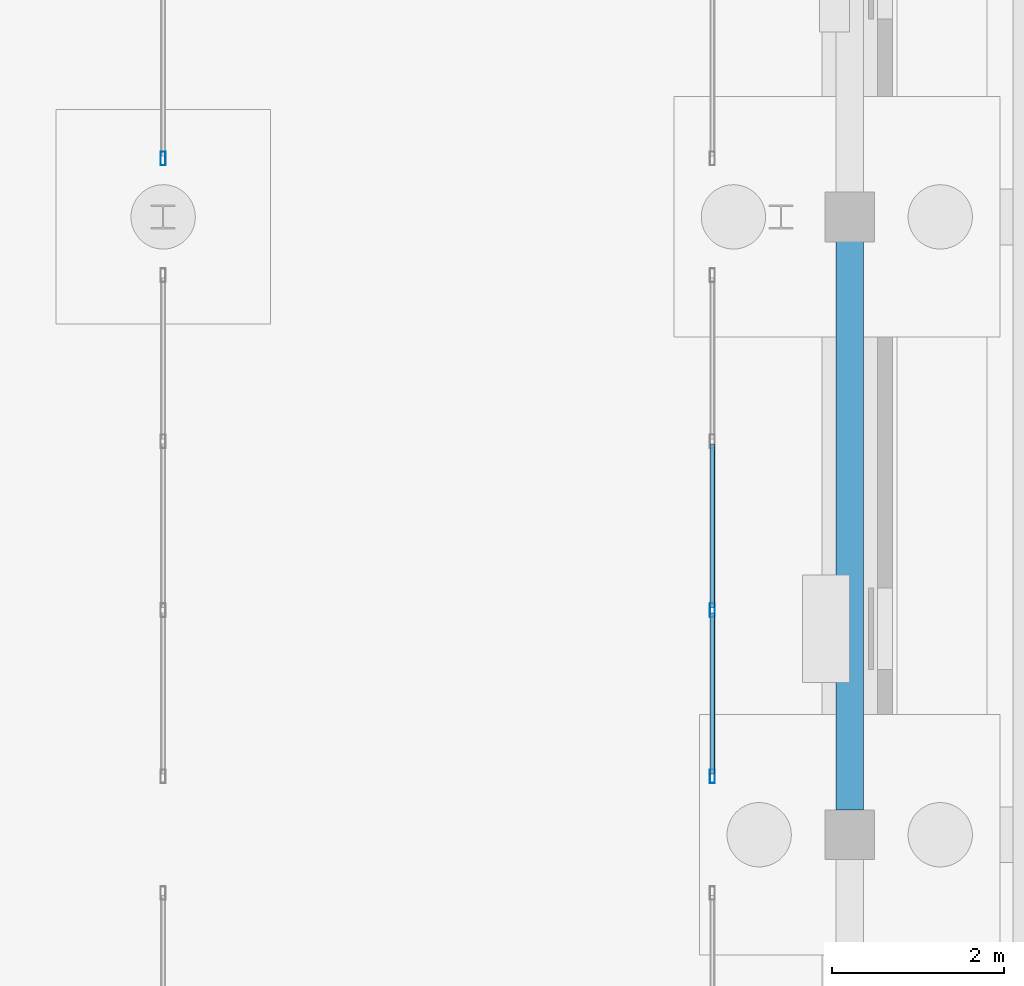
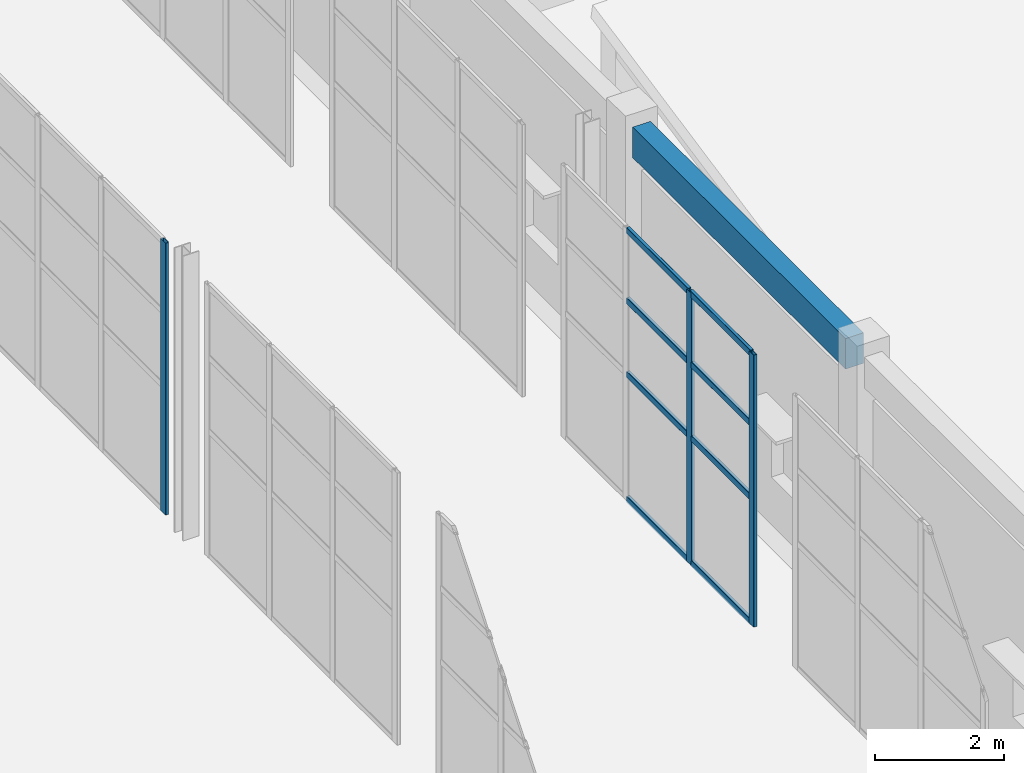
# One storey, part 23 of 91: 11 members, 1 beam, 2 elements without a shape of their own.
"""IFC4 building model written with IfcOpenShell, lengths in metres."""

from ifc_helpers import new_model, si_unit, direction, frame, origin, origin_2d, place, context, subcontext, project, spatial, rectangle, hollow_rectangle, extrude, material, material_profile, profile_set, type_object, element, aggregate, save


model = new_model("IFC4")

# Units and contexts
model_context = context("Model", 3, precision=1e-05, world=origin(), true_north=direction((0.0, 1.0)))
body_context = subcontext(model_context, "Body", "Model", "MODEL_VIEW")
ifc_project = project(units=[si_unit("LENGTHUNIT", "METRE"), si_unit("AREAUNIT", "SQUARE_METRE"), si_unit("VOLUMEUNIT", "CUBIC_METRE"), si_unit("PLANEANGLEUNIT", "RADIAN"), si_unit("MASSUNIT", "GRAM", prefix="KILO")], contexts=[model_context])

# Site, building, storey
site_placement = place(None, origin())
site = spatial("IfcSite", under=ifc_project, at=site_placement, CompositionType="ELEMENT")
building_placement = place(site_placement, origin())
building = spatial("IfcBuilding", under=site, at=building_placement, Name="Bramveld Media Centre", CompositionType="ELEMENT")
storey_placement = place(building_placement, origin())
storey = spatial("IfcBuildingStorey", under=building, at=storey_placement, Name="L00", CompositionType="ELEMENT", Elevation=0.0)

# Curtain wall, member
ifc_material_1 = material(Name="Thermally broken anodized bronze aluminium unitized curtain wall with solar-control triple glazing", Category="aluminium")
curtain_wall_type = type_object("IfcCurtainWallType", Name="CW-GAL-5900x5160", PredefinedType="NOTDEFINED", material=ifc_material_1)
curtain_wall_1_placement = place(storey_placement, origin())
curtain_wall_1 = element("IfcCurtainWall", 1, at=curtain_wall_1_placement, inside=storey, type_object=curtain_wall_type, Name="PASS-M colonnade glazed screen 3", PredefinedType="NOTDEFINED")
ifc_material_2 = material(Name="Thermally broken anodized bronze aluminium EN AW-6063 T6 curtain-wall framing", Category="aluminium")
ifc_material_profile_1 = material_profile(ifc_material_2, hollow_rectangle(XDim=0.06005859375, YDim=0.159912109375, WallThickness=0.00390625, InnerFilletRadius=0.00390625, OuterFilletRadius=0.008056640625, at=origin_2d()), Name="AL-MULL 60x160")
ifc_profile_set_1 = profile_set([ifc_material_profile_1], Name="Thermally broken anodized bronze aluminium EN AW-6063 T6 curtain-wall framing")
member_type_1 = type_object("IfcMemberType", Name="CW-MULL-EXT", PredefinedType="MULLION", material=ifc_profile_set_1)
member_1_placement = place(storey_placement, frame((116.0, 15.080078125, 0.0), z_axis=(0.0, 0.0, 1.0), x_axis=(-1.0, 0.0, 0.0)))
member_1 = element("IfcMember", 2, at=member_1_placement, type_object=member_type_1, Name="CW-GA-5951 mullion 1", PredefinedType="MULLION", context=body_context, shape_type="SweptSolid", body=[
    extrude(hollow_rectangle(XDim=0.06005859375, YDim=0.159912109375, WallThickness=0.00390625, InnerFilletRadius=0.00390625, OuterFilletRadius=0.008056640625, at=origin_2d()), origin(), (0.0, 0.0, 1.0), 5.159912109375),
])
aggregate(curtain_wall_1, [member_1])

# Curtain wall, members
curtain_wall_2_placement = place(storey_placement, origin())
curtain_wall_2 = element("IfcCurtainWall", 3, at=curtain_wall_2_placement, inside=storey, type_object=curtain_wall_type, Name="PASS-E colonnade glazed screen 2", PredefinedType="NOTDEFINED")
member_2_placement = place(storey_placement, frame((122.39990234375, 7.8798828125, 0.0), z_axis=(0.0, 0.0, 1.0), x_axis=(-1.0, 0.0, 0.0)))
member_2 = element("IfcMember", 4, at=member_2_placement, type_object=member_type_1, Name="CW-GA-5951 mullion 1", PredefinedType="MULLION", context=body_context, shape_type="SweptSolid", body=[
    extrude(hollow_rectangle(XDim=0.06005859375, YDim=0.159912109375, WallThickness=0.00390625, InnerFilletRadius=0.00390625, OuterFilletRadius=0.008056640625, at=origin_2d()), origin(), (0.0, 0.0, 1.0), 5.159912109375),
])
member_3_placement = place(storey_placement, frame((122.39990234375, 9.816650390625, 0.0), z_axis=(0.0, 0.0, 1.0), x_axis=(-1.0, 0.0, 0.0)))
member_3 = element("IfcMember", 5, at=member_3_placement, type_object=member_type_1, Name="CW-GA-5951 mullion 2", PredefinedType="MULLION", context=body_context, shape_type="SweptSolid", body=[
    extrude(hollow_rectangle(XDim=0.06005859375, YDim=0.159912109375, WallThickness=0.00390625, InnerFilletRadius=0.00390625, OuterFilletRadius=0.008056640625, at=origin_2d()), origin(), (0.0, 0.0, 1.0), 5.159912109375),
])
ifc_material_3 = material(Name="Thermally broken anodized bronze aluminium EN AW-6063 T6 curtain-wall framing", Category="aluminium")
ifc_material_profile_2 = material_profile(ifc_material_3, hollow_rectangle(XDim=0.06005859375, YDim=0.1201171875, WallThickness=0.00341796875, InnerFilletRadius=0.00341796875, OuterFilletRadius=0.007080078125, at=origin_2d()), Name="AL-TRAN 60x120")
ifc_profile_set_2 = profile_set([ifc_material_profile_2], Name="Thermally broken anodized bronze aluminium EN AW-6063 T6 curtain-wall framing")
member_type_2 = type_object("IfcMemberType", Name="CW-TRAN-EXT", PredefinedType="USERDEFINED", material=ifc_profile_set_2)
member_4_placement = place(storey_placement, frame((122.39990234375, 7.909912109375, 0.030029296875), z_axis=(0.0, 1.0, 0.0), x_axis=(-1.0, 0.0, 0.0)))
member_4 = element("IfcMember", 6, at=member_4_placement, type_object=member_type_2, Name="CW-GA-5951 transom 1.1", ObjectType="TRANSOM", PredefinedType="USERDEFINED", context=body_context, shape_type="SweptSolid", body=[
    extrude(hollow_rectangle(XDim=0.06005859375, YDim=0.1201171875, WallThickness=0.00341796875, InnerFilletRadius=0.00341796875, OuterFilletRadius=0.007080078125, at=origin_2d()), origin(), (0.0, 0.0, 1.0), 1.876708984375),
])
member_5_placement = place(storey_placement, frame((122.39990234375, 7.909912109375, 2.39990234375), z_axis=(0.0, 1.0, 0.0), x_axis=(-1.0, 0.0, 0.0)))
member_5 = element("IfcMember", 7, at=member_5_placement, type_object=member_type_2, Name="CW-GA-5951 transom 1.2", ObjectType="TRANSOM", PredefinedType="USERDEFINED", context=body_context, shape_type="SweptSolid", body=[
    extrude(hollow_rectangle(XDim=0.06005859375, YDim=0.1201171875, WallThickness=0.00341796875, InnerFilletRadius=0.00341796875, OuterFilletRadius=0.007080078125, at=origin_2d()), origin(), (0.0, 0.0, 1.0), 1.876708984375),
])
member_6_placement = place(storey_placement, frame((122.39990234375, 7.909912109375, 3.800048828125), z_axis=(0.0, 1.0, 0.0), x_axis=(-1.0, 0.0, 0.0)))
member_6 = element("IfcMember", 8, at=member_6_placement, type_object=member_type_2, Name="CW-GA-5951 transom 1.3", ObjectType="TRANSOM", PredefinedType="USERDEFINED", context=body_context, shape_type="SweptSolid", body=[
    extrude(hollow_rectangle(XDim=0.06005859375, YDim=0.1201171875, WallThickness=0.00341796875, InnerFilletRadius=0.00341796875, OuterFilletRadius=0.007080078125, at=origin_2d()), origin(), (0.0, 0.0, 1.0), 1.876708984375),
])
member_7_placement = place(storey_placement, frame((122.39990234375, 7.909912109375, 5.1298828125), z_axis=(0.0, 1.0, 0.0), x_axis=(-1.0, 0.0, 0.0)))
member_7 = element("IfcMember", 9, at=member_7_placement, type_object=member_type_2, Name="CW-GA-5951 transom 1.4", ObjectType="TRANSOM", PredefinedType="USERDEFINED", context=body_context, shape_type="SweptSolid", body=[
    extrude(hollow_rectangle(XDim=0.06005859375, YDim=0.1201171875, WallThickness=0.00341796875, InnerFilletRadius=0.00341796875, OuterFilletRadius=0.007080078125, at=origin_2d()), origin(), (0.0, 0.0, 1.0), 1.876708984375),
])
member_8_placement = place(storey_placement, frame((122.39990234375, 9.8466796875, 0.030029296875), z_axis=(0.0, 1.0, 0.0), x_axis=(-1.0, 0.0, 0.0)))
member_8 = element("IfcMember", 10, at=member_8_placement, type_object=member_type_2, Name="CW-GA-5951 transom 2.1", ObjectType="TRANSOM", PredefinedType="USERDEFINED", context=body_context, shape_type="SweptSolid", body=[
    extrude(hollow_rectangle(XDim=0.06005859375, YDim=0.1201171875, WallThickness=0.00341796875, InnerFilletRadius=0.00341796875, OuterFilletRadius=0.007080078125, at=origin_2d()), origin(), (0.0, 0.0, 1.0), 1.90673828125),
])
member_9_placement = place(storey_placement, frame((122.39990234375, 9.8466796875, 2.39990234375), z_axis=(0.0, 1.0, 0.0), x_axis=(-1.0, 0.0, 0.0)))
member_9 = element("IfcMember", 11, at=member_9_placement, type_object=member_type_2, Name="CW-GA-5951 transom 2.2", ObjectType="TRANSOM", PredefinedType="USERDEFINED", context=body_context, shape_type="SweptSolid", body=[
    extrude(hollow_rectangle(XDim=0.06005859375, YDim=0.1201171875, WallThickness=0.00341796875, InnerFilletRadius=0.00341796875, OuterFilletRadius=0.007080078125, at=origin_2d()), origin(), (0.0, 0.0, 1.0), 1.90673828125),
])
member_10_placement = place(storey_placement, frame((122.39990234375, 9.8466796875, 3.800048828125), z_axis=(0.0, 1.0, 0.0), x_axis=(-1.0, 0.0, 0.0)))
member_10 = element("IfcMember", 12, at=member_10_placement, type_object=member_type_2, Name="CW-GA-5951 transom 2.3", ObjectType="TRANSOM", PredefinedType="USERDEFINED", context=body_context, shape_type="SweptSolid", body=[
    extrude(hollow_rectangle(XDim=0.06005859375, YDim=0.1201171875, WallThickness=0.00341796875, InnerFilletRadius=0.00341796875, OuterFilletRadius=0.007080078125, at=origin_2d()), origin(), (0.0, 0.0, 1.0), 1.90673828125),
])
member_11_placement = place(storey_placement, frame((122.39990234375, 9.8466796875, 5.1298828125), z_axis=(0.0, 1.0, 0.0), x_axis=(-1.0, 0.0, 0.0)))
member_11 = element("IfcMember", 13, at=member_11_placement, type_object=member_type_2, Name="CW-GA-5951 transom 2.4", ObjectType="TRANSOM", PredefinedType="USERDEFINED", context=body_context, shape_type="SweptSolid", body=[
    extrude(hollow_rectangle(XDim=0.06005859375, YDim=0.1201171875, WallThickness=0.00341796875, InnerFilletRadius=0.00341796875, OuterFilletRadius=0.007080078125, at=origin_2d()), origin(), (0.0, 0.0, 1.0), 1.90673828125),
])
aggregate(curtain_wall_2, [member_2, member_3, member_4, member_5, member_6, member_7, member_8, member_9, member_10, member_11])

# Beam
ifc_material_4 = material(Name="Concrete C40/50", Category="concrete")
ifc_material_profile_3 = material_profile(ifc_material_4, rectangle(XDim=0.320068359375, YDim=0.580078125, at=origin_2d()), Name="RC 320x580")
ifc_profile_set_3 = profile_set([ifc_material_profile_3], Name="Concrete C40/50")
beam_type = type_object("IfcBeamType", Name="SPANDREL-EXT-RC-320x580", PredefinedType="SPANDREL", material=ifc_profile_set_3)
beam_placement = place(storey_placement, frame((124.0, 7.489990234375, 4.860107421875), z_axis=(0.0, 1.0, 0.0), x_axis=(-1.0, 0.0, 0.0)))
element("IfcBeam", 14, at=beam_placement, inside=storey, type_object=beam_type, Name="V1 L00 girder Y-18", PredefinedType="SPANDREL", context=body_context, shape_type="SweptSolid", body=[
    extrude(rectangle(XDim=0.320068359375, YDim=0.580078125, at=origin_2d()), origin(), (0.0, 0.0, 1.0), 6.6201171875),
])

save(model, "model.ifc")
